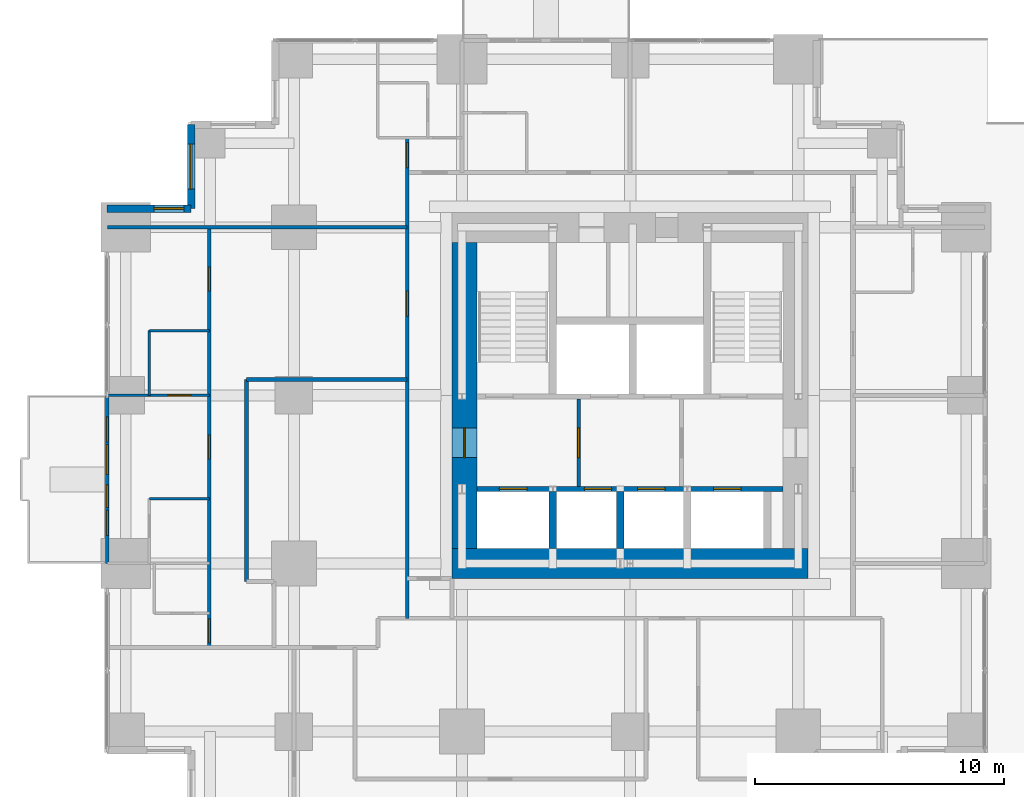
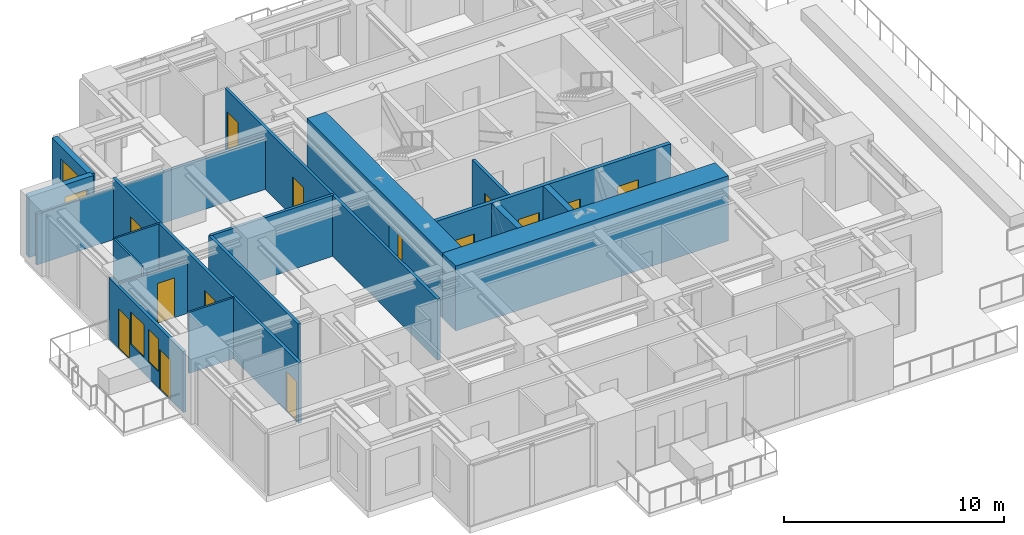
# One storey, part 6 of 10: 18 walls, 14 doors, 4 windows, 18 openings.
"""IFC4 building model written with IfcOpenShell, lengths in metres."""

from ifc_helpers import new_model, si_unit, direction, frame, frame_2d, origin, place, context, subcontext, project, spatial, rectangle, extrude, material, layer, layer_set, type_object, element, fill, save


model = new_model("IFC4")

# Units and contexts
model_context = context("Model", 3, precision=1e-05, world=origin(), true_north=direction((0.0, 1.0)))
body_context = subcontext(model_context, "Body", "Model", "MODEL_VIEW")
ifc_project = project(units=[si_unit("LENGTHUNIT", "METRE"), si_unit("AREAUNIT", "SQUARE_METRE"), si_unit("VOLUMEUNIT", "CUBIC_METRE"), si_unit("PLANEANGLEUNIT", "RADIAN"), si_unit("MASSUNIT", "GRAM", prefix="KILO")], contexts=[model_context])

# Site, building, storey
site_placement = place(None, origin())
site = spatial("IfcSite", under=ifc_project, at=site_placement, CompositionType="ELEMENT")
building_placement = place(site_placement, origin())
building = spatial("IfcBuilding", under=site, at=building_placement, Name="Nyansa Garden Tower", CompositionType="ELEMENT")
storey_placement = place(building_placement, frame((0.0, 0.0, 142.199951171875)))
storey = spatial("IfcBuildingStorey", under=building, at=storey_placement, Name="L38", CompositionType="ELEMENT", Elevation=142.199951171875)

# Wall, openings, doors, windows
ifc_material_1 = material(Name="Black aluminium framed glazed screen", Category="aluminium")
ifc_layer_1 = layer(ifc_material_1, 0.14990234375)
ifc_layer_set_1 = layer_set([ifc_layer_1], Name="Balcony screen wall BW150")
wall_type_1 = type_object("IfcWallType", Name="Balcony screen wall BW150", PredefinedType="SOLIDWALL", material=ifc_layer_set_1)
wall_1_placement = place(storey_placement, frame((-0.75, 13.5, 0.0), z_axis=(0.0, 0.0, 1.0), x_axis=(0.0, 1.0, 0.0)))
wall_1 = element("IfcWall", 1, at=wall_1_placement, inside=storey, type_object=wall_type_1, Name="Glazed screen wall L38 W", PredefinedType="SOLIDWALL", context=body_context, shape_type="SweptSolid", body=[
    extrude(rectangle(XDim=6.75, YDim=0.14990234375, at=frame_2d((3.375, 0.0))), origin(), (0.0, 0.0, 1.0), 3.375),
])
opening_1_placement = place(wall_1_placement, frame((1.129150390625, 0.0, 0.0)))
opening_1 = element("IfcOpeningElement", 2, at=opening_1_placement, cuts=wall_1, Name="Opening D20", PredefinedType="OPENING", context=body_context, shape_type="SweptSolid", body=[
    extrude(rectangle(XDim=1.0, YDim=2.199951171875, at=frame_2d((0.5, 1.10009765625))), frame((0.0, 0.0849609375, 0.0), z_axis=(0.0, -1.0, 0.0), x_axis=(1.0, 0.0, 0.0)), (0.0, 0.0, 1.0), 0.169921875),
])
opening_2_placement = place(wall_1_placement, frame((2.25830078125, 0.0, 0.89990234375)))
opening_2 = element("IfcOpeningElement", 3, at=opening_2_placement, cuts=wall_1, Name="Opening W7", PredefinedType="OPENING", context=body_context, shape_type="SweptSolid", body=[
    extrude(rectangle(XDim=0.89990234375, YDim=1.800048828125, at=frame_2d((0.449951171875, 0.89990234375))), frame((0.0, 0.0849609375, 0.0), z_axis=(0.0, -1.0, 0.0), x_axis=(1.0, 0.0, 0.0)), (0.0, 0.0, 1.0), 0.169921875),
])
opening_3_placement = place(wall_1_placement, frame((4.887451171875, 0.0, 0.0)))
opening_3 = element("IfcOpeningElement", 4, at=opening_3_placement, cuts=wall_1, Name="Opening D20", PredefinedType="OPENING", context=body_context, shape_type="SweptSolid", body=[
    extrude(rectangle(XDim=1.0, YDim=2.199951171875, at=frame_2d((0.5, 1.10009765625))), frame((0.0, 0.0849609375, 0.0), z_axis=(0.0, -1.0, 0.0), x_axis=(1.0, 0.0, 0.0)), (0.0, 0.0, 1.0), 0.169921875),
])
opening_4_placement = place(wall_1_placement, frame((3.574951171875, 0.0, 0.89990234375)))
opening_4 = element("IfcOpeningElement", 5, at=opening_4_placement, cuts=wall_1, Name="Opening W6", PredefinedType="OPENING", context=body_context, shape_type="SweptSolid", body=[
    extrude(rectangle(XDim=1.199951171875, YDim=1.800048828125, at=frame_2d((0.60009765625, 0.89990234375))), frame((0.0, 0.0849609375, 0.0), z_axis=(0.0, -1.0, 0.0), x_axis=(1.0, 0.0, 0.0)), (0.0, 0.0, 1.0), 0.169921875),
])
ifc_material_2 = material(Name="Black aluminium framed glazed door", Category="aluminium")
door_type_1 = type_object("IfcDoorType", Name="Balcony door D20 1000x2200", OperationType="NOTDEFINED", PredefinedType="DOOR", material=ifc_material_2)
door_1_placement = place(opening_1_placement, origin())
door_1 = element("IfcDoor", 6, at=door_1_placement, inside=storey, type_object=door_type_1, Name="Balcony door L38", OperationType="SINGLE_SWING_LEFT", OverallHeight=2.199951171875, OverallWidth=1.0, PredefinedType="DOOR", context=body_context, shape_type="SweptSolid", body=[
    extrude(rectangle(XDim=1.0, YDim=2.199951171875, at=frame_2d((0.5, 1.10009765625))), frame((0.0, 0.02490234375, 0.0), z_axis=(0.0, -1.0, 0.0), x_axis=(1.0, 0.0, 0.0)), (0.0, 0.0, 1.0), 0.050048828125),
])
fill(opening_1, door_1)
door_2_placement = place(opening_3_placement, origin())
door_2 = element("IfcDoor", 7, at=door_2_placement, inside=storey, type_object=door_type_1, Name="Balcony door L38", OperationType="SINGLE_SWING_RIGHT", OverallHeight=2.199951171875, OverallWidth=1.0, PredefinedType="DOOR", context=body_context, shape_type="SweptSolid", body=[
    extrude(rectangle(XDim=1.0, YDim=2.199951171875, at=frame_2d((0.5, 1.10009765625))), frame((0.0, 0.02490234375, 0.0), z_axis=(0.0, -1.0, 0.0), x_axis=(1.0, 0.0, 0.0)), (0.0, 0.0, 1.0), 0.050048828125),
])
fill(opening_3, door_2)
ifc_material_3 = material(Name="Black aluminium frame, dark tinted double glazing", Category="aluminium")
window_type_1 = type_object("IfcWindowType", Name="Balcony window W6 1200x1800", PartitioningType="SINGLE_PANEL", PredefinedType="WINDOW", material=ifc_material_3)
window_1_placement = place(opening_4_placement, origin())
window_1 = element("IfcWindow", 8, at=window_1_placement, inside=storey, type_object=window_type_1, Name="Window L38", OverallHeight=1.800048828125, OverallWidth=1.199951171875, PartitioningType="SINGLE_PANEL", PredefinedType="WINDOW", context=body_context, shape_type="SweptSolid", body=[
    extrude(rectangle(XDim=1.199951171875, YDim=1.800048828125, at=frame_2d((0.60009765625, 0.89990234375))), frame((0.0, 0.030029296875, 0.0), z_axis=(0.0, -1.0, 0.0), x_axis=(1.0, 0.0, 0.0)), (0.0, 0.0, 1.0), 0.06005859375),
])
fill(opening_4, window_1)
ifc_material_4 = material(Name="Black aluminium frame, dark tinted double glazing", Category="aluminium")
window_type_2 = type_object("IfcWindowType", Name="Balcony window W7 900x1800", PartitioningType="SINGLE_PANEL", PredefinedType="WINDOW", material=ifc_material_4)
window_2_placement = place(opening_2_placement, origin())
window_2 = element("IfcWindow", 9, at=window_2_placement, inside=storey, type_object=window_type_2, Name="Window L38", OverallHeight=1.800048828125, OverallWidth=0.89990234375, PartitioningType="SINGLE_PANEL", PredefinedType="WINDOW", context=body_context, shape_type="SweptSolid", body=[
    extrude(rectangle(XDim=0.89990234375, YDim=1.800048828125, at=frame_2d((0.449951171875, 0.89990234375))), frame((0.0, 0.030029296875, 0.0), z_axis=(0.0, -1.0, 0.0), x_axis=(1.0, 0.0, 0.0)), (0.0, 0.0, 1.0), 0.06005859375),
])
fill(opening_2, window_2)

# Wall, openings, doors
ifc_material_5 = material(Name="Concrete C70/85", Category="concrete")
ifc_layer_2 = layer(ifc_material_5, 0.199951171875)
ifc_layer_set_2 = layer_set([ifc_layer_2], Name="Core inner wall CI200")
wall_type_2 = type_object("IfcWallType", Name="Core inner wall CI200", PredefinedType="SHEAR", material=ifc_layer_set_2)
wall_2_placement = place(storey_placement, frame((14.10009765625, 16.5, 0.0), z_axis=(0.0, 0.0, 1.0), x_axis=(1.0, 0.0, 0.0)))
wall_2 = element("IfcWall", 10, at=wall_2_placement, inside=storey, type_object=wall_type_2, Name="Core inner wall L38", PredefinedType="SHEAR", context=body_context, shape_type="SweptSolid", body=[
    extrude(rectangle(XDim=12.2998046875, YDim=0.199951171875, at=frame_2d((6.14990234375, 0.0))), origin(), (0.0, 0.0, 1.0), 3.60009765625),
])
opening_5_placement = place(wall_2_placement, frame((0.89990234375, 0.0, 0.0)))
opening_5 = element("IfcOpeningElement", 11, at=opening_5_placement, cuts=wall_2, Name="Opening LD-F", PredefinedType="OPENING", context=body_context, shape_type="SweptSolid", body=[
    extrude(rectangle(XDim=1.10009765625, YDim=2.199951171875, at=frame_2d((0.550048828125, 1.10009765625))), frame((0.0, 0.10986328125, 0.0), z_axis=(0.0, -1.0, 0.0), x_axis=(1.0, 0.0, 0.0)), (0.0, 0.0, 1.0), 0.219970703125),
])
opening_6_placement = place(wall_2_placement, frame((4.31005859375, 0.0, 0.0)))
opening_6 = element("IfcOpeningElement", 12, at=opening_6_placement, cuts=wall_2, Name="Opening LD-B", PredefinedType="OPENING", context=body_context, shape_type="SweptSolid", body=[
    extrude(rectangle(XDim=1.10009765625, YDim=2.199951171875, at=frame_2d((0.550048828125, 1.10009765625))), frame((0.0, 0.10986328125, 0.0), z_axis=(0.0, -1.0, 0.0), x_axis=(1.0, 0.0, 0.0)), (0.0, 0.0, 1.0), 0.219970703125),
])
opening_7_placement = place(wall_2_placement, frame((6.449951171875, 0.0, 0.0)))
opening_7 = element("IfcOpeningElement", 13, at=opening_7_placement, cuts=wall_2, Name="Opening LD-B", PredefinedType="OPENING", context=body_context, shape_type="SweptSolid", body=[
    extrude(rectangle(XDim=1.10009765625, YDim=2.199951171875, at=frame_2d((0.550048828125, 1.10009765625))), frame((0.0, 0.10986328125, 0.0), z_axis=(0.0, -1.0, 0.0), x_axis=(1.0, 0.0, 0.0)), (0.0, 0.0, 1.0), 0.219970703125),
])
opening_8_placement = place(wall_2_placement, frame((9.5, 0.0, 0.0)))
opening_8 = element("IfcOpeningElement", 14, at=opening_8_placement, cuts=wall_2, Name="Opening LD-F", PredefinedType="OPENING", context=body_context, shape_type="SweptSolid", body=[
    extrude(rectangle(XDim=1.10009765625, YDim=2.199951171875, at=frame_2d((0.550048828125, 1.10009765625))), frame((0.0, 0.10986328125, 0.0), z_axis=(0.0, -1.0, 0.0), x_axis=(1.0, 0.0, 0.0)), (0.0, 0.0, 1.0), 0.219970703125),
])
ifc_material_6 = material(Name="Stainless steel centre-opening landing door of the high-rise lift, E 120", Category="steel")
door_type_2 = type_object("IfcDoorType", Name="Lift landing door LD-B 1100x2200", OperationType="DOUBLE_DOOR_SLIDING", PredefinedType="DOOR", material=ifc_material_6)
door_3_placement = place(opening_6_placement, origin())
door_3 = element("IfcDoor", 15, at=door_3_placement, inside=storey, type_object=door_type_2, Name="Landing door B1", OperationType="DOUBLE_DOOR_SLIDING", OverallHeight=2.199951171875, OverallWidth=1.10009765625, PredefinedType="DOOR", context=body_context, shape_type="SweptSolid", body=[
    extrude(rectangle(XDim=1.10009765625, YDim=2.199951171875, at=frame_2d((0.550048828125, 1.10009765625))), frame((0.0, 0.02490234375, 0.0), z_axis=(0.0, -1.0, 0.0), x_axis=(1.0, 0.0, 0.0)), (0.0, 0.0, 1.0), 0.050048828125),
])
fill(opening_6, door_3)
door_4_placement = place(opening_7_placement, origin())
door_4 = element("IfcDoor", 16, at=door_4_placement, inside=storey, type_object=door_type_2, Name="Landing door B2", OperationType="DOUBLE_DOOR_SLIDING", OverallHeight=2.199951171875, OverallWidth=1.10009765625, PredefinedType="DOOR", context=body_context, shape_type="SweptSolid", body=[
    extrude(rectangle(XDim=1.10009765625, YDim=2.199951171875, at=frame_2d((0.550048828125, 1.10009765625))), frame((0.0, 0.02490234375, 0.0), z_axis=(0.0, -1.0, 0.0), x_axis=(1.0, 0.0, 0.0)), (0.0, 0.0, 1.0), 0.050048828125),
])
fill(opening_7, door_4)
ifc_material_7 = material(Name="Stainless steel centre-opening landing door of the firefighting lift, EN 81-72, E 120", Category="steel")
door_type_3 = type_object("IfcDoorType", Name="Lift landing door LD-F 1100x2200", OperationType="DOUBLE_DOOR_SLIDING", PredefinedType="DOOR", material=ifc_material_7)
door_5_placement = place(opening_5_placement, origin())
door_5 = element("IfcDoor", 17, at=door_5_placement, inside=storey, type_object=door_type_3, Name="Landing door FF1", OperationType="DOUBLE_DOOR_SLIDING", OverallHeight=2.199951171875, OverallWidth=1.10009765625, PredefinedType="DOOR", context=body_context, shape_type="SweptSolid", body=[
    extrude(rectangle(XDim=1.10009765625, YDim=2.199951171875, at=frame_2d((0.550048828125, 1.10009765625))), frame((0.0, 0.02490234375, 0.0), z_axis=(0.0, -1.0, 0.0), x_axis=(1.0, 0.0, 0.0)), (0.0, 0.0, 1.0), 0.050048828125),
])
fill(opening_5, door_5)
door_6_placement = place(opening_8_placement, origin())
door_6 = element("IfcDoor", 18, at=door_6_placement, inside=storey, type_object=door_type_3, Name="Landing door FF2", OperationType="DOUBLE_DOOR_SLIDING", OverallHeight=2.199951171875, OverallWidth=1.10009765625, PredefinedType="DOOR", context=body_context, shape_type="SweptSolid", body=[
    extrude(rectangle(XDim=1.10009765625, YDim=2.199951171875, at=frame_2d((0.550048828125, 1.10009765625))), frame((0.0, 0.02490234375, 0.0), z_axis=(0.0, -1.0, 0.0), x_axis=(1.0, 0.0, 0.0)), (0.0, 0.0, 1.0), 0.050048828125),
])
fill(opening_8, door_6)

# Walls
ifc_material_8 = material(Name="Concrete C70/85", Category="concrete")
ifc_layer_3 = layer(ifc_material_8, 0.300048828125)
ifc_layer_set_3 = layer_set([ifc_layer_3], Name="Core inner wall CI300")
wall_type_3 = type_object("IfcWallType", Name="Core inner wall CI300", PredefinedType="SHEAR", material=ifc_layer_set_3)
for number, where, z_axis, x_axis, name in (
    (19, (17.14990234375, 14.10009765625, 0.0), (0.0, 0.0, 1.0), (0.0, 1.0, 0.0), "Core inner wall L38"),
    (20, (19.85009765625, 14.10009765625, 0.0), (0.0, 0.0, 1.0), (0.0, 1.0, 0.0), "Core inner wall L38"),
):
    element("IfcWall", number, at=place(storey_placement, frame(where, z_axis=z_axis, x_axis=x_axis)), inside=storey, type_object=wall_type_3, Name=name, PredefinedType="SHEAR", context=body_context, shape_type="SweptSolid", body=[
        extrude(rectangle(XDim=2.2998046875, YDim=0.300048828125, at=frame_2d((1.14990234375, 0.0))), origin(), (0.0, 0.0, 1.0), 3.60009765625),
    ])

# Wall, opening, door
ifc_material_9 = material(Name="Concrete C80/95", Category="concrete")
ifc_layer_4 = layer(ifc_material_9, 1.0)
ifc_layer_set_4 = layer_set([ifc_layer_4], Name="Core wall CW1000")
wall_type_4 = type_object("IfcWallType", Name="Core wall CW1000", PredefinedType="SHEAR", material=ifc_layer_set_4)
wall_3_placement = place(storey_placement, frame((13.60009765625, 26.39990234375, 0.0), z_axis=(0.0, 0.0, 1.0), x_axis=(0.0, -1.0, 0.0)))
wall_3 = element("IfcWall", 21, at=wall_3_placement, inside=storey, type_object=wall_type_4, Name="Core wall W L38", PredefinedType="SHEAR", context=body_context, shape_type="SweptSolid", body=[
    extrude(rectangle(XDim=12.2998046875, YDim=1.0, at=frame_2d((6.14990234375, 0.0))), origin(), (0.0, 0.0, 1.0), 3.60009765625),
])
opening_9_placement = place(wall_3_placement, frame((7.449951171875, 0.0, 0.0)))
opening_9 = element("IfcOpeningElement", 22, at=opening_9_placement, cuts=wall_3, Name="Opening D06", PredefinedType="OPENING", context=body_context, shape_type="SweptSolid", body=[
    extrude(rectangle(XDim=1.199951171875, YDim=2.199951171875, at=frame_2d((0.60009765625, 1.10009765625))), frame((0.0, 0.510009765625, 0.0), z_axis=(0.0, -1.0, 0.0), x_axis=(1.0, 0.0, 0.0)), (0.0, 0.0, 1.0), 1.02001953125),
])
ifc_material_10 = material(Name="Steel door, 120 minute fire resisting", Category="steel")
door_type_4 = type_object("IfcDoorType", Name="Lobby door D06 1200x2200", OperationType="DOUBLE_DOOR_SINGLE_SWING", PredefinedType="DOOR", material=ifc_material_10)
door_7_placement = place(opening_9_placement, origin())
door_7 = element("IfcDoor", 23, at=door_7_placement, inside=storey, type_object=door_type_4, Name="Lift lobby door west", OperationType="DOUBLE_DOOR_SINGLE_SWING", OverallHeight=2.199951171875, OverallWidth=1.199951171875, PredefinedType="DOOR", context=body_context, shape_type="SweptSolid", body=[
    extrude(rectangle(XDim=1.199951171875, YDim=2.199951171875, at=frame_2d((0.60009765625, 1.10009765625))), frame((0.0, 0.02490234375, 0.0), z_axis=(0.0, -1.0, 0.0), x_axis=(1.0, 0.0, 0.0)), (0.0, 0.0, 1.0), 0.050048828125),
])
fill(opening_9, door_7)

# Wall
ifc_material_11 = material(Name="Concrete C80/95", Category="concrete")
ifc_layer_5 = layer(ifc_material_11, 1.199951171875)
ifc_layer_set_5 = layer_set([ifc_layer_5], Name="Core wall CW1200")
wall_type_5 = type_object("IfcWallType", Name="Core wall CW1200", PredefinedType="SHEAR", material=ifc_layer_set_5)
wall_4_placement = place(storey_placement, frame((13.10009765625, 13.5, 0.0), z_axis=(0.0, 0.0, 1.0), x_axis=(1.0, 0.0, 0.0)))
element("IfcWall", 24, at=wall_4_placement, inside=storey, type_object=wall_type_5, Name="Core wall S L38", PredefinedType="SHEAR", context=body_context, shape_type="SweptSolid", body=[
    extrude(rectangle(XDim=14.2998046875, YDim=1.199951171875, at=frame_2d((7.14990234375, 0.0))), origin(), (0.0, 0.0, 1.0), 3.60009765625),
])

# Wall, opening, door
ifc_material_12 = material(Name="Blockwork, plastered both sides", Category="masonry")
ifc_layer_6 = layer(ifc_material_12, 0.14990234375)
ifc_layer_set_6 = layer_set([ifc_layer_6], Name="Partition PW150")
wall_type_6 = type_object("IfcWallType", Name="Partition PW150", PredefinedType="PARTITIONING", material=ifc_layer_set_6)
wall_5_placement = place(storey_placement, frame((18.18505859375, 16.60009765625, 0.0), z_axis=(0.0, 0.0, 1.0), x_axis=(0.0, 1.0, 0.0)))
wall_5 = element("IfcWall", 25, at=wall_5_placement, inside=storey, type_object=wall_type_6, Name="Partition", PredefinedType="PARTITIONING", context=body_context, shape_type="SweptSolid", body=[
    extrude(rectangle(XDim=3.5, YDim=0.14990234375, at=frame_2d((1.75, 0.0))), origin(), (0.0, 0.0, 1.0), 3.375),
])
opening_10_placement = place(wall_5_placement, frame((1.14990234375, 0.0, 0.0)))
opening_10 = element("IfcOpeningElement", 26, at=opening_10_placement, cuts=wall_5, Name="Opening D06", PredefinedType="OPENING", context=body_context, shape_type="SweptSolid", body=[
    extrude(rectangle(XDim=1.199951171875, YDim=2.199951171875, at=frame_2d((0.60009765625, 1.10009765625))), frame((0.0, 0.0849609375, 0.0), z_axis=(0.0, -1.0, 0.0), x_axis=(1.0, 0.0, 0.0)), (0.0, 0.0, 1.0), 0.169921875),
])
door_8_placement = place(opening_10_placement, origin())
door_8 = element("IfcDoor", 27, at=door_8_placement, inside=storey, type_object=door_type_4, Name="Passenger lift lobby door", OperationType="DOUBLE_DOOR_SINGLE_SWING", OverallHeight=2.199951171875, OverallWidth=1.199951171875, PredefinedType="DOOR", context=body_context, shape_type="SweptSolid", body=[
    extrude(rectangle(XDim=1.199951171875, YDim=2.199951171875, at=frame_2d((0.60009765625, 1.10009765625))), frame((0.0, 0.02490234375, 0.0), z_axis=(0.0, -1.0, 0.0), x_axis=(1.0, 0.0, 0.0)), (0.0, 0.0, 1.0), 0.050048828125),
])
fill(opening_10, door_8)

# Wall
wall_6_placement = place(storey_placement, frame((-0.73388671875, 27.0, 0.0), z_axis=(0.0, 0.0, 1.0), x_axis=(1.0, 0.0, 0.0)))
element("IfcWall", 28, at=wall_6_placement, inside=storey, type_object=wall_type_6, Name="Partition", PredefinedType="PARTITIONING", context=body_context, shape_type="SweptSolid", body=[
    extrude(rectangle(XDim=12.033935546875, YDim=0.14990234375, at=frame_2d((6.01708984375, 0.0))), origin(), (0.0, 0.0, 1.0), 2.80615234375),
])

# Wall, openings, doors
wall_7_placement = place(storey_placement, frame((3.35009765625, 10.125, 0.0), z_axis=(0.0, 0.0, 1.0), x_axis=(0.0, 1.0, 0.0)))
wall_7 = element("IfcWall", 29, at=wall_7_placement, inside=storey, type_object=wall_type_6, Name="Partition", PredefinedType="PARTITIONING", context=body_context, shape_type="SweptSolid", body=[
    extrude(rectangle(XDim=16.875, YDim=0.14990234375, at=frame_2d((8.4375, 0.0))), origin(), (0.0, 0.0, 1.0), 3.375),
])
opening_11_placement = place(wall_7_placement, frame((7.574951171875, 0.0, 0.0)))
opening_11 = element("IfcOpeningElement", 30, at=opening_11_placement, cuts=wall_7, Name="Opening D14", PredefinedType="OPENING", context=body_context, shape_type="SweptSolid", body=[
    extrude(rectangle(XDim=0.949951171875, YDim=2.199951171875, at=frame_2d((0.47509765625, 1.10009765625))), frame((0.0, 0.0849609375, 0.0), z_axis=(0.0, -1.0, 0.0), x_axis=(1.0, 0.0, 0.0)), (0.0, 0.0, 1.0), 0.169921875),
])
opening_12_placement = place(wall_7_placement, frame((14.324951171875, 0.0, 0.0)))
opening_12 = element("IfcOpeningElement", 31, at=opening_12_placement, cuts=wall_7, Name="Opening D14", PredefinedType="OPENING", context=body_context, shape_type="SweptSolid", body=[
    extrude(rectangle(XDim=0.949951171875, YDim=2.199951171875, at=frame_2d((0.47509765625, 1.10009765625))), frame((0.0, 0.0849609375, 0.0), z_axis=(0.0, -1.0, 0.0), x_axis=(1.0, 0.0, 0.0)), (0.0, 0.0, 1.0), 0.169921875),
])
opening_13_placement = place(wall_7_placement, frame((0.199951171875, 0.0, 0.0)))
opening_13 = element("IfcOpeningElement", 32, at=opening_13_placement, cuts=wall_7, Name="Opening D14", PredefinedType="OPENING", context=body_context, shape_type="SweptSolid", body=[
    extrude(rectangle(XDim=0.949951171875, YDim=2.199951171875, at=frame_2d((0.47509765625, 1.10009765625))), frame((0.0, 0.0849609375, 0.0), z_axis=(0.0, -1.0, 0.0), x_axis=(1.0, 0.0, 0.0)), (0.0, 0.0, 1.0), 0.169921875),
])
ifc_material_13 = material(Name="Timber flush door, 60 minute fire resisting, self-closing", Category="wood")
door_type_5 = type_object("IfcDoorType", Name="Studio entrance door D14 950x2200", OperationType="SINGLE_SWING_LEFT", PredefinedType="DOOR", material=ifc_material_13)
door_9_placement = place(opening_11_placement, origin())
door_9 = element("IfcDoor", 33, at=door_9_placement, inside=storey, type_object=door_type_5, Name="Door L38-040", OperationType="SINGLE_SWING_LEFT", OverallHeight=2.199951171875, OverallWidth=0.949951171875, PredefinedType="DOOR", context=body_context, shape_type="SweptSolid", body=[
    extrude(rectangle(XDim=0.949951171875, YDim=2.199951171875, at=frame_2d((0.47509765625, 1.10009765625))), frame((0.0, 0.02490234375, 0.0), z_axis=(0.0, -1.0, 0.0), x_axis=(1.0, 0.0, 0.0)), (0.0, 0.0, 1.0), 0.050048828125),
])
fill(opening_11, door_9)
door_10_placement = place(opening_12_placement, origin())
door_10 = element("IfcDoor", 34, at=door_10_placement, inside=storey, type_object=door_type_5, Name="Door L38-042", OperationType="SINGLE_SWING_LEFT", OverallHeight=2.199951171875, OverallWidth=0.949951171875, PredefinedType="DOOR", context=body_context, shape_type="SweptSolid", body=[
    extrude(rectangle(XDim=0.949951171875, YDim=2.199951171875, at=frame_2d((0.47509765625, 1.10009765625))), frame((0.0, 0.02490234375, 0.0), z_axis=(0.0, -1.0, 0.0), x_axis=(1.0, 0.0, 0.0)), (0.0, 0.0, 1.0), 0.050048828125),
])
fill(opening_12, door_10)
door_11_placement = place(opening_13_placement, origin())
door_11 = element("IfcDoor", 35, at=door_11_placement, inside=storey, type_object=door_type_5, Name="Door L38-044", OperationType="SINGLE_SWING_LEFT", OverallHeight=2.199951171875, OverallWidth=0.949951171875, PredefinedType="DOOR", context=body_context, shape_type="SweptSolid", body=[
    extrude(rectangle(XDim=0.949951171875, YDim=2.199951171875, at=frame_2d((0.47509765625, 1.10009765625))), frame((0.0, 0.02490234375, 0.0), z_axis=(0.0, -1.0, 0.0), x_axis=(1.0, 0.0, 0.0)), (0.0, 0.0, 1.0), 0.050048828125),
])
fill(opening_13, door_11)

# Walls
wall_8_placement = place(storey_placement, frame((4.85009765625, 12.77490234375, 0.0), z_axis=(0.0, 0.0, 1.0), x_axis=(0.0, 1.0, 0.0)))
element("IfcWall", 36, at=wall_8_placement, inside=storey, type_object=wall_type_6, Name="Partition", PredefinedType="PARTITIONING", context=body_context, shape_type="SweptSolid", body=[
    extrude(rectangle(XDim=8.112548828125, YDim=0.14990234375, at=frame_2d((4.05615234375, 0.0))), origin(), (0.0, 0.0, 1.0), 3.375),
])
wall_9_placement = place(storey_placement, frame((4.85009765625, 20.886962890625, 0.0), z_axis=(0.0, 0.0, 1.0), x_axis=(1.0, 0.0, 0.0)))
element("IfcWall", 37, at=wall_9_placement, inside=storey, type_object=wall_type_6, Name="Partition", PredefinedType="PARTITIONING", context=body_context, shape_type="SweptSolid", body=[
    extrude(rectangle(XDim=6.449951171875, YDim=0.14990234375, at=frame_2d((3.22509765625, 0.0))), origin(), (0.0, 0.0, 1.0), 3.375),
])

# Wall, openings, doors
wall_10_placement = place(storey_placement, frame((11.300048828125, 11.300048828125, 0.0), z_axis=(0.0, 0.0, 1.0), x_axis=(0.0, 1.0, 0.0)))
wall_10 = element("IfcWall", 38, at=wall_10_placement, inside=storey, type_object=wall_type_6, Name="Partition", PredefinedType="PARTITIONING", context=body_context, shape_type="SweptSolid", body=[
    extrude(rectangle(XDim=19.300048828125, YDim=0.14990234375, at=frame_2d((9.64990234375, 0.0))), origin(), (0.0, 0.0, 1.0), 3.375),
])
opening_14_placement = place(wall_10_placement, frame((18.10009765625, 0.0, 0.0)))
opening_14 = element("IfcOpeningElement", 39, at=opening_14_placement, cuts=wall_10, Name="Opening D03", PredefinedType="OPENING", context=body_context, shape_type="SweptSolid", body=[
    extrude(rectangle(XDim=1.0, YDim=2.199951171875, at=frame_2d((0.5, 1.10009765625))), frame((0.0, 0.0849609375, 0.0), z_axis=(0.0, -1.0, 0.0), x_axis=(1.0, 0.0, 0.0)), (0.0, 0.0, 1.0), 0.169921875),
])
opening_15_placement = place(wall_10_placement, frame((12.137451171875, 0.0, 0.0)))
opening_15 = element("IfcOpeningElement", 40, at=opening_15_placement, cuts=wall_10, Name="Opening D03", PredefinedType="OPENING", context=body_context, shape_type="SweptSolid", body=[
    extrude(rectangle(XDim=1.0, YDim=2.199951171875, at=frame_2d((0.5, 1.10009765625))), frame((0.0, 0.0849609375, 0.0), z_axis=(0.0, -1.0, 0.0), x_axis=(1.0, 0.0, 0.0)), (0.0, 0.0, 1.0), 0.169921875),
])
ifc_material_14 = material(Name="Timber flush door, 60 minute fire resisting", Category="wood")
door_type_6 = type_object("IfcDoorType", Name="Cluster entrance door D03 1000x2200", OperationType="SINGLE_SWING_LEFT", PredefinedType="DOOR", material=ifc_material_14)
door_12_placement = place(opening_14_placement, origin())
door_12 = element("IfcDoor", 41, at=door_12_placement, inside=storey, type_object=door_type_6, Name="Door L38-039", OperationType="SINGLE_SWING_LEFT", OverallHeight=2.199951171875, OverallWidth=1.0, PredefinedType="DOOR", context=body_context, shape_type="SweptSolid", body=[
    extrude(rectangle(XDim=1.0, YDim=2.199951171875, at=frame_2d((0.5, 1.10009765625))), frame((0.0, 0.02490234375, 0.0), z_axis=(0.0, -1.0, 0.0), x_axis=(1.0, 0.0, 0.0)), (0.0, 0.0, 1.0), 0.050048828125),
])
fill(opening_14, door_12)
door_13_placement = place(opening_15_placement, origin())
door_13 = element("IfcDoor", 42, at=door_13_placement, inside=storey, type_object=door_type_6, Name="Door L38-046", OperationType="SINGLE_SWING_LEFT", OverallHeight=2.199951171875, OverallWidth=1.0, PredefinedType="DOOR", context=body_context, shape_type="SweptSolid", body=[
    extrude(rectangle(XDim=1.0, YDim=2.199951171875, at=frame_2d((0.5, 1.10009765625))), frame((0.0, 0.02490234375, 0.0), z_axis=(0.0, -1.0, 0.0), x_axis=(1.0, 0.0, 0.0)), (0.0, 0.0, 1.0), 0.050048828125),
])
fill(opening_15, door_13)

# Wall, opening, window
ifc_material_15 = material(Name="Turquoise glazed tile on concrete blockwork", Category="masonry")
ifc_layer_7 = layer(ifc_material_15, 0.300048828125)
ifc_layer_set_7 = layer_set([ifc_layer_7], Name="Tiled corner wall TW300")
wall_type_7 = type_object("IfcWallType", Name="Tiled corner wall TW300", PredefinedType="SOLIDWALL", material=ifc_layer_set_7)
wall_11_placement = place(storey_placement, frame((2.625, 31.125, 0.0), z_axis=(0.0, 0.0, 1.0), x_axis=(0.0, -1.0, 0.0)))
wall_11 = element("IfcWall", 43, at=wall_11_placement, inside=storey, type_object=wall_type_7, Name="Tiled corner wall L38", PredefinedType="SOLIDWALL", context=body_context, shape_type="SweptSolid", body=[
    extrude(rectangle(XDim=3.375, YDim=0.300048828125, at=frame_2d((1.6875, 0.0))), origin(), (0.0, 0.0, 1.0), 3.375),
])
opening_16_placement = place(wall_11_placement, frame((0.78759765625, 0.0, 0.60009765625)))
opening_16 = element("IfcOpeningElement", 44, at=opening_16_placement, cuts=wall_11, Name="Opening W2", PredefinedType="OPENING", context=body_context, shape_type="SweptSolid", body=[
    extrude(rectangle(XDim=1.800048828125, YDim=2.10009765625, at=frame_2d((0.89990234375, 1.050048828125))), frame((0.0, 0.159912109375, 0.0), z_axis=(0.0, -1.0, 0.0), x_axis=(1.0, 0.0, 0.0)), (0.0, 0.0, 1.0), 0.320068359375),
])
ifc_material_16 = material(Name="Black aluminium frame, dark tinted double glazing", Category="aluminium")
window_type_3 = type_object("IfcWindowType", Name="Window W2 1800x2100", PartitioningType="SINGLE_PANEL", PredefinedType="WINDOW", material=ifc_material_16)
window_3_placement = place(opening_16_placement, origin())
window_3 = element("IfcWindow", 45, at=window_3_placement, inside=storey, type_object=window_type_3, Name="Corner window L38", OverallHeight=2.10009765625, OverallWidth=1.800048828125, PartitioningType="SINGLE_PANEL", PredefinedType="WINDOW", context=body_context, shape_type="SweptSolid", body=[
    extrude(rectangle(XDim=1.800048828125, YDim=2.10009765625, at=frame_2d((0.89990234375, 1.050048828125))), frame((0.0, 0.030029296875, 0.0), z_axis=(0.0, -1.0, 0.0), x_axis=(1.0, 0.0, 0.0)), (0.0, 0.0, 1.0), 0.06005859375),
])
fill(opening_16, window_3)

wall_12_placement = place(storey_placement, frame((2.625, 27.75, 0.0), z_axis=(0.0, 0.0, 1.0), x_axis=(-1.0, 0.0, 0.0)))
wall_12 = element("IfcWall", 46, at=wall_12_placement, inside=storey, type_object=wall_type_7, Name="Tiled corner wall L38", PredefinedType="SOLIDWALL", context=body_context, shape_type="SweptSolid", body=[
    extrude(rectangle(XDim=3.375, YDim=0.300048828125, at=frame_2d((1.6875, 0.0))), origin(), (0.0, 0.0, 1.0), 3.375),
])
opening_17_placement = place(wall_12_placement, frame((0.29248046875, 0.0, 0.89990234375)))
opening_17 = element("IfcOpeningElement", 47, at=opening_17_placement, cuts=wall_12, Name="Opening W4", PredefinedType="OPENING", context=body_context, shape_type="SweptSolid", body=[
    extrude(rectangle(XDim=1.199951171875, YDim=1.800048828125, at=frame_2d((0.60009765625, 0.89990234375))), frame((0.0, 0.159912109375, 0.0), z_axis=(0.0, -1.0, 0.0), x_axis=(1.0, 0.0, 0.0)), (0.0, 0.0, 1.0), 0.320068359375),
])
ifc_material_17 = material(Name="Black aluminium frame, dark tinted double glazing", Category="aluminium")
window_type_4 = type_object("IfcWindowType", Name="Window W4 1200x1800", PartitioningType="SINGLE_PANEL", PredefinedType="WINDOW", material=ifc_material_17)
window_4_placement = place(opening_17_placement, origin())
window_4 = element("IfcWindow", 48, at=window_4_placement, inside=storey, type_object=window_type_4, Name="Corner window L38", OverallHeight=1.800048828125, OverallWidth=1.199951171875, PartitioningType="SINGLE_PANEL", PredefinedType="WINDOW", context=body_context, shape_type="SweptSolid", body=[
    extrude(rectangle(XDim=1.199951171875, YDim=1.800048828125, at=frame_2d((0.60009765625, 0.89990234375))), frame((0.0, 0.030029296875, 0.0), z_axis=(0.0, -1.0, 0.0), x_axis=(1.0, 0.0, 0.0)), (0.0, 0.0, 1.0), 0.06005859375),
])
fill(opening_17, window_4)

# Wall, opening, door
ifc_material_18 = material(Name="Moisture resistant board on steel studs, tiled", Category="steel")
ifc_layer_8 = layer(ifc_material_18, 0.10009765625)
ifc_layer_set_8 = layer_set([ifc_layer_8], Name="Wet wall PW100")
wall_type_8 = type_object("IfcWallType", Name="Wet wall PW100", PredefinedType="PARTITIONING", material=ifc_layer_set_8)
wall_13_placement = place(storey_placement, frame((-0.73388671875, 20.25, 0.0), z_axis=(0.0, 0.0, 1.0), x_axis=(1.0, 0.0, 0.0)))
wall_13 = element("IfcWall", 49, at=wall_13_placement, inside=storey, type_object=wall_type_8, Name="Wet wall", PredefinedType="PARTITIONING", context=body_context, shape_type="SweptSolid", body=[
    extrude(rectangle(XDim=4.083984375, YDim=0.10009765625, at=frame_2d((2.0419921875, 0.0))), origin(), (0.0, 0.0, 1.0), 2.876953125),
])
opening_18_placement = place(wall_13_placement, frame((2.43408203125, 0.0, 0.0)))
opening_18 = element("IfcOpeningElement", 50, at=opening_18_placement, cuts=wall_13, Name="Opening D02", PredefinedType="OPENING", context=body_context, shape_type="SweptSolid", body=[
    extrude(rectangle(XDim=0.89990234375, YDim=2.199951171875, at=frame_2d((0.449951171875, 1.10009765625))), frame((0.0, 0.06005859375, 0.0), z_axis=(0.0, -1.0, 0.0), x_axis=(1.0, 0.0, 0.0)), (0.0, 0.0, 1.0), 0.1201171875),
])
ifc_material_19 = material(Name="Timber flush door", Category="wood")
door_type_7 = type_object("IfcDoorType", Name="En-suite door D02 900x2200", OperationType="SINGLE_SWING_RIGHT", PredefinedType="DOOR", material=ifc_material_19)
door_14_placement = place(opening_18_placement, origin())
door_14 = element("IfcDoor", 51, at=door_14_placement, inside=storey, type_object=door_type_7, Name="Door L38-043", OperationType="SINGLE_SWING_RIGHT", OverallHeight=2.199951171875, OverallWidth=0.89990234375, PredefinedType="DOOR", context=body_context, shape_type="SweptSolid", body=[
    extrude(rectangle(XDim=0.89990234375, YDim=2.199951171875, at=frame_2d((0.449951171875, 1.10009765625))), frame((0.0, 0.02490234375, 0.0), z_axis=(0.0, -1.0, 0.0), x_axis=(1.0, 0.0, 0.0)), (0.0, 0.0, 1.0), 0.050048828125),
])
fill(opening_18, door_14)

# Walls
wall_14_placement = place(storey_placement, frame((0.949951171875, 16.10009765625, 0.0), z_axis=(0.0, 0.0, 1.0), x_axis=(1.0, 0.0, 0.0)))
element("IfcWall", 52, at=wall_14_placement, inside=storey, type_object=wall_type_8, Name="Wet wall", PredefinedType="PARTITIONING", context=body_context, shape_type="SweptSolid", body=[
    extrude(rectangle(XDim=2.400146484375, YDim=0.10009765625, at=frame_2d((1.2001953125, 0.0))), origin(), (0.0, 0.0, 1.0), 3.375),
])
wall_15_placement = place(storey_placement, frame((0.949951171875, 20.25, 0.0), z_axis=(0.0, 0.0, 1.0), x_axis=(0.0, 1.0, 0.0)))
element("IfcWall", 53, at=wall_15_placement, inside=storey, type_object=wall_type_8, Name="Wet wall", PredefinedType="PARTITIONING", context=body_context, shape_type="SweptSolid", body=[
    extrude(rectangle(XDim=2.60009765625, YDim=0.10009765625, at=frame_2d((1.300048828125, 0.0))), origin(), (0.0, 0.0, 1.0), 3.375),
])
wall_16_placement = place(storey_placement, frame((0.949951171875, 22.85009765625, 0.0), z_axis=(0.0, 0.0, 1.0), x_axis=(1.0, 0.0, 0.0)))
element("IfcWall", 54, at=wall_16_placement, inside=storey, type_object=wall_type_8, Name="Wet wall", PredefinedType="PARTITIONING", context=body_context, shape_type="SweptSolid", body=[
    extrude(rectangle(XDim=2.400146484375, YDim=0.10009765625, at=frame_2d((1.2001953125, 0.0))), origin(), (0.0, 0.0, 1.0), 3.375),
])

save(model, "model.ifc")
